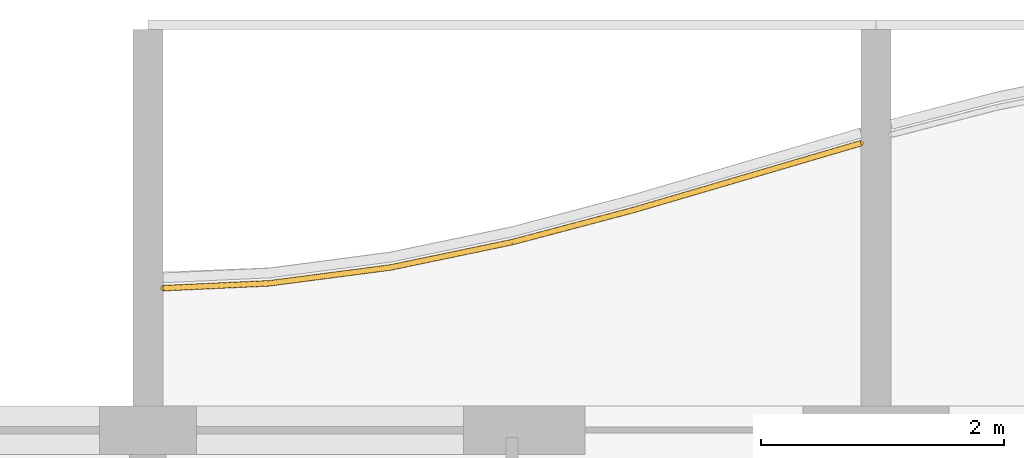
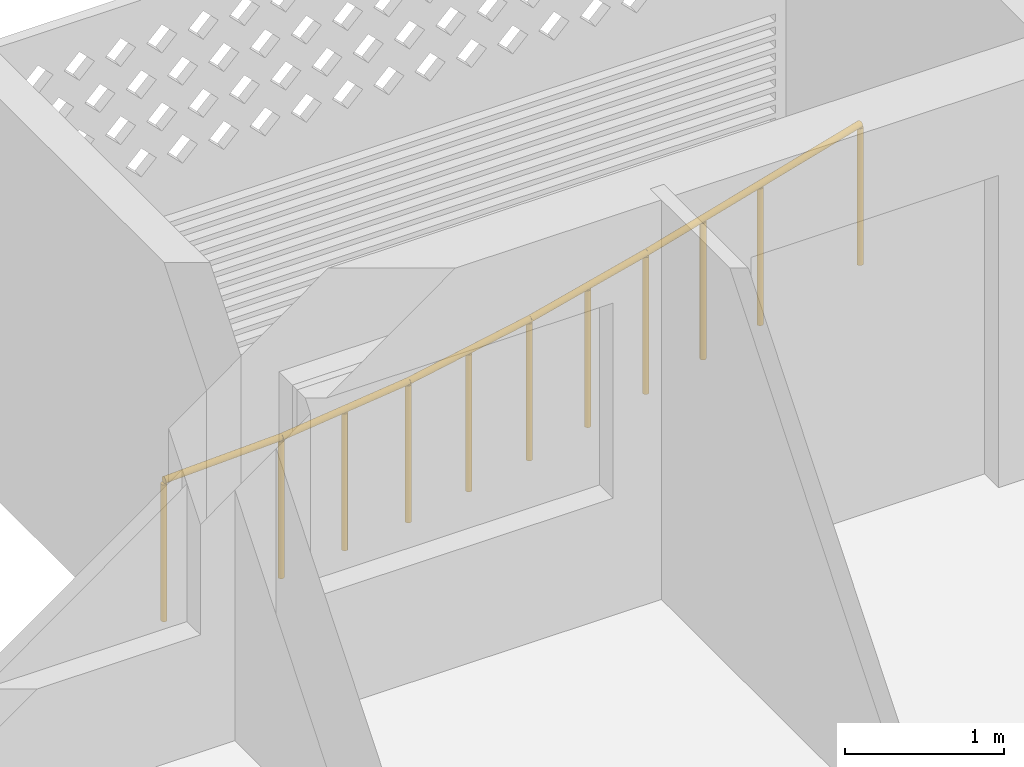
# One storey, part 26 of 31: 1 railing.
"""IFC4 building model written with IfcOpenShell, lengths in metres."""

from ifc_helpers import new_model, si_unit, direction, frame, origin, origin_2d, place, context, subcontext, project, spatial, circle, extrude, material, type_object, element, save


model = new_model("IFC4")

# Units and contexts
model_context = context("Model", 3, precision=1e-05, world=origin(), true_north=direction((0.0, 1.0)))
body_context = subcontext(model_context, "Body", "Model", "MODEL_VIEW")
ifc_project = project(units=[si_unit("LENGTHUNIT", "METRE"), si_unit("AREAUNIT", "SQUARE_METRE"), si_unit("VOLUMEUNIT", "CUBIC_METRE"), si_unit("PLANEANGLEUNIT", "RADIAN"), si_unit("MASSUNIT", "GRAM", prefix="KILO")], contexts=[model_context])

# Site, building, storey
site_placement = place(None, origin())
site = spatial("IfcSite", under=ifc_project, at=site_placement, CompositionType="ELEMENT")
building_placement = place(site_placement, origin())
building = spatial("IfcBuilding", under=site, at=building_placement, Name="Poui Terraces", CompositionType="ELEMENT")
storey_placement = place(building_placement, frame((0.0, 0.0, 145.5)))
storey = spatial("IfcBuildingStorey", under=building, at=storey_placement, Name="L40", CompositionType="ELEMENT", Elevation=145.5)

# Railing
ifc_material = material(Name="Painted steel fretwork", Category="steel")
railing_type = type_object("IfcRailingType", Name="BALCONY GUARD 1100", PredefinedType="GUARDRAIL", material=ifc_material)
railing_placement = place(storey_placement, frame((66.125, 43.570068359375, 0.0)))
element("IfcRailing", 1, at=railing_placement, inside=storey, type_object=railing_type, Name="BALCONY GUARD", PredefinedType="GUARDRAIL", context=body_context, shape_type="SweptSolid", body=[
    extrude(circle(Radius=0.02392578125, at=origin_2d()), frame((0.0, 0.0, 1.076171875), z_axis=(0.998954701489, 0.045711096832, 0.0), x_axis=(-0.045711096832, 0.998954701489, 0.0)), (0.0, 0.0, 1.0), 0.8759765625),
    extrude(circle(Radius=0.02392578125, at=origin_2d()), frame((0.875, 0.0400390625, 1.076171875), z_axis=(0.991546329967, 0.129753133023, 0.0), x_axis=(-0.129753133023, 0.991546329967, 0.0)), (0.0, 0.0, 1.0), 1.008544921875),
    extrude(circle(Radius=0.02392578125, at=origin_2d()), frame((1.875, 0.1708984375, 1.076171875), z_axis=(0.978996324432, 0.203877896665, 0.0), x_axis=(-0.203877896665, 0.978996324432, 0.0)), (0.0, 0.0, 1.0), 1.021484375),
    extrude(circle(Radius=0.02392578125, at=origin_2d()), frame((2.875, 0.379150390625, 1.076171875), z_axis=(0.966718963822, 0.255840663277, 0.0), x_axis=(-0.255840663277, 0.966718963822, 0.0)), (0.0, 0.0, 1.0), 1.034423828125),
    extrude(circle(Radius=0.02392578125, at=origin_2d()), frame((3.875, 0.643798828125, 1.076171875), z_axis=(0.959536917318, 0.281582855131, 0.0), x_axis=(-0.281582855131, 0.959536917318, 0.0)), (0.0, 0.0, 1.0), 1.042236328125),
    extrude(circle(Radius=0.02392578125, at=origin_2d()), frame((4.875, 0.937255859375, 1.076171875), z_axis=(0.959446454903, 0.281890936666, 0.0), x_axis=(-0.281890936666, 0.959446454903, 0.0)), (0.0, 0.0, 1.0), 0.911865234375),
    extrude(circle(Radius=0.02099609375, at=origin_2d()), origin(), (0.0, 0.0, 1.0), 1.052001953125),
    extrude(circle(Radius=0.02099609375, at=origin_2d()), frame((0.875, 0.0400390625, 0.0)), (0.0, 0.0, 1.0), 1.052001953125),
    extrude(circle(Radius=0.02099609375, at=origin_2d()), frame((1.375, 0.10546875, 0.0)), (0.0, 0.0, 1.0), 1.052001953125),
    extrude(circle(Radius=0.02099609375, at=origin_2d()), frame((1.875, 0.1708984375, 0.0)), (0.0, 0.0, 1.0), 1.052001953125),
    extrude(circle(Radius=0.02099609375, at=origin_2d()), frame((2.375, 0.27490234375, 0.0)), (0.0, 0.0, 1.0), 1.052001953125),
    extrude(circle(Radius=0.02099609375, at=origin_2d()), frame((2.875, 0.379150390625, 0.0)), (0.0, 0.0, 1.0), 1.052001953125),
    extrude(circle(Radius=0.02099609375, at=origin_2d()), frame((3.375, 0.511474609375, 0.0)), (0.0, 0.0, 1.0), 1.052001953125),
    extrude(circle(Radius=0.02099609375, at=origin_2d()), frame((3.875, 0.643798828125, 0.0)), (0.0, 0.0, 1.0), 1.052001953125),
    extrude(circle(Radius=0.02099609375, at=origin_2d()), frame((4.375, 0.79052734375, 0.0)), (0.0, 0.0, 1.0), 1.052001953125),
    extrude(circle(Radius=0.02099609375, at=origin_2d()), frame((4.875, 0.937255859375, 0.0)), (0.0, 0.0, 1.0), 1.052001953125),
    extrude(circle(Radius=0.02099609375, at=origin_2d()), frame((5.75, 1.1943359375, 0.0)), (0.0, 0.0, 1.0), 1.052001953125),
])

save(model, "model.ifc")
